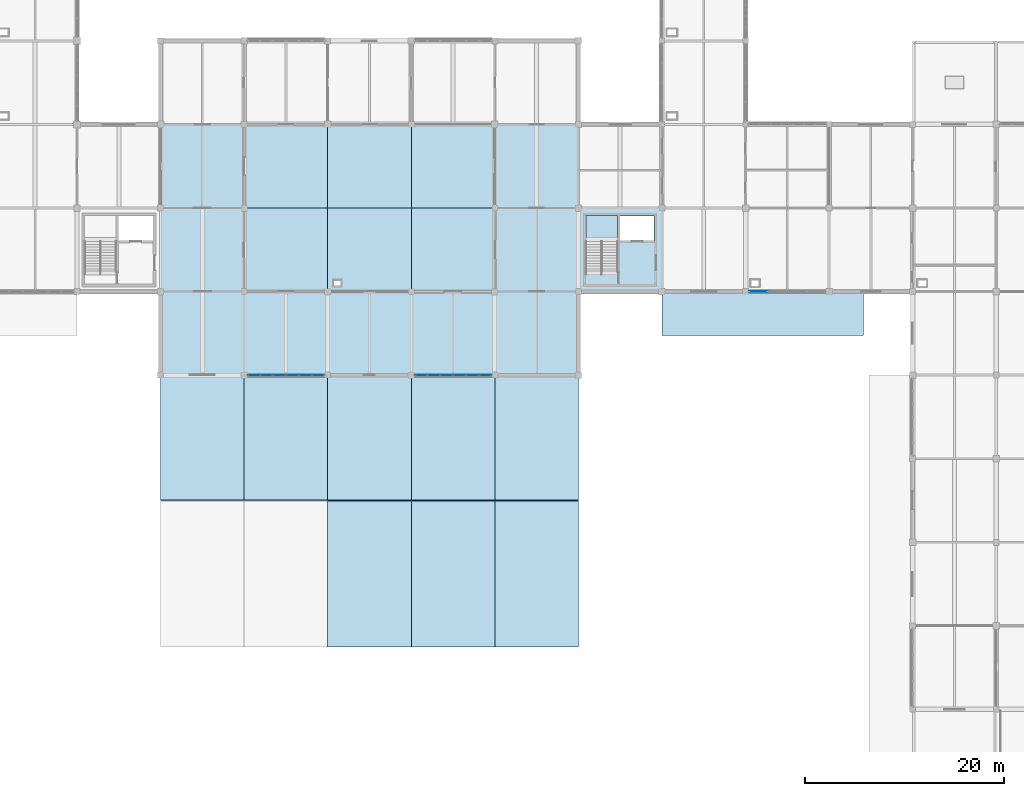
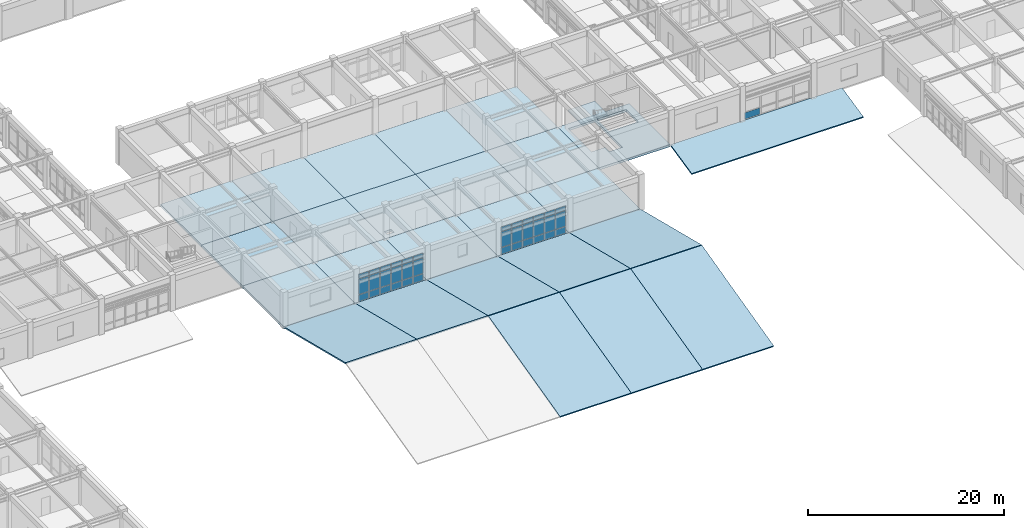
# One storey, part 44 of 78: 37 plates, 26 slabs, 4 elements without a shape of their own.
"""IFC4 building model written with IfcOpenShell, lengths in metres."""

import ifcopenshell
import ifcopenshell.guid

model = None  # the IFC model being written
_history = None  # IfcOwnerHistory: only IFC2X3 demands one
_inside = {}  # id of a spatial element -> (the spatial element, [elements in it])
_under = {}  # id of a project, library or spatial element -> (it, [spatial elements below it])
_declared = {}  # id of a project -> (the project, [libraries it declares])
_typed = {}  # id of a type object -> (the type object, [elements of that type])
_made_of = {}  # id of a material, layer set ... -> (it, [elements and type objects made of it])


def new_model(schema):
    """Start an empty IFC model of exactly this schema.

    Asked for "IFC4X3", IfcOpenShell would pick the latest addendum, in which some entities
    have other attributes; the version numbers below select the first issue.
    IFC2X3 requires an IfcOwnerHistory on every rooted entity: one is made here for all.
    """
    global model, _history
    if schema == "IFC4X3":
        model = ifcopenshell.file(schema_version=(4, 3, 0, 0))
    else:
        model = ifcopenshell.file(schema=schema)
    _inside.clear()
    _under.clear()
    _declared.clear()
    _typed.clear()
    _made_of.clear()
    _history = None
    if model.schema == "IFC2X3":
        org = make("IfcOrganization", Name="unknown")
        user = make(
            "IfcPersonAndOrganization",
            ThePerson=make("IfcPerson", FamilyName="unknown"),
            TheOrganization=org,
        )
        app = make(
            "IfcApplication",
            ApplicationDeveloper=org,
            Version="unknown",
            ApplicationFullName="unknown",
            ApplicationIdentifier="unknown",
        )
        _history = make(
            "IfcOwnerHistory",
            OwningUser=user,
            OwningApplication=app,
            ChangeAction="ADDED",
            CreationDate=0,
        )
    return model


def make(cls, **values):
    """One entity of the class cls with the attributes given. An attribute that is None is left unset."""
    return model.create_entity(
        cls, **{name: value for name, value in values.items() if value is not None}
    )


def rooted(cls, **values):
    """An entity with a GlobalId (a new one), such as an element, a storey or a relation."""
    return make(cls, GlobalId=ifcopenshell.guid.new(), OwnerHistory=_history, **values)


def si_unit(unit_type, name, prefix=None):
    """IfcSIUnit, for example si_unit("LENGTHUNIT", "METRE", prefix="MILLI")."""
    return make("IfcSIUnit", UnitType=unit_type, Prefix=prefix, Name=name)


def assignment(units):
    """IfcUnitAssignment: the units of a project."""
    return None if units is None else make("IfcUnitAssignment", Units=units)


def point(xyz):
    """IfcCartesianPoint."""
    return None if xyz is None else make("IfcCartesianPoint", Coordinates=xyz)


def direction(xyz):
    """IfcDirection."""
    return None if xyz is None else make("IfcDirection", DirectionRatios=xyz)


def frame(location, z_axis=None, x_axis=None):
    """IfcAxis2Placement3D, a coordinate frame: its origin and axes. An axis left out is left unset."""
    return make(
        "IfcAxis2Placement3D",
        Location=point(location),
        Axis=direction(z_axis),
        RefDirection=direction(x_axis),
    )


def frame_2d(location, x_axis=None):
    """IfcAxis2Placement2D, a coordinate frame in the plane: its origin and x axis."""
    return make(
        "IfcAxis2Placement2D", Location=point(location), RefDirection=direction(x_axis)
    )


def origin():
    """The frame at (0, 0, 0) with its axes left unset."""
    return frame((0.0, 0.0, 0.0))


def origin_2d():
    """The frame at (0, 0) in the plane with its x axis left unset."""
    return frame_2d((0.0, 0.0))


def place(relative_to, where):
    """IfcLocalPlacement: puts the frame where relative to a parent placement (None: the world)."""
    return make(
        "IfcLocalPlacement", PlacementRelTo=relative_to, RelativePlacement=where
    )


def context(
    kind, dimensions, precision=None, world=None, true_north=None, identifier=None
):
    """IfcGeometricRepresentationContext, for example the 3D "Model" context."""
    return make(
        "IfcGeometricRepresentationContext",
        ContextIdentifier=identifier,
        ContextType=kind,
        CoordinateSpaceDimension=dimensions,
        Precision=precision,
        WorldCoordinateSystem=world,
        TrueNorth=true_north,
    )


def subcontext(parent, identifier, kind, view, scale=None):
    """IfcGeometricRepresentationSubContext, for example "Body" below "Model"."""
    return make(
        "IfcGeometricRepresentationSubContext",
        ContextIdentifier=identifier,
        ContextType=kind,
        ParentContext=parent,
        TargetScale=scale,
        TargetView=view,
    )


def project(units=None, contexts=None):
    """IfcProject with its units and contexts."""
    return rooted(
        "IfcProject",
        Name="project",
        RepresentationContexts=contexts,
        UnitsInContext=assignment(units),
    )


def spatial(cls, under=None, at=None, **own):
    """A site, building, storey or space (cls), placed at a placement, below another one or the project."""
    s = rooted(cls, ObjectPlacement=at, **own)
    if under is not None:
        _under.setdefault(under.id(), (under, []))[1].append(s)
    return s


def polyline(points):
    """IfcPolyline through the points."""
    return make("IfcPolyline", Points=[point(p) for p in points])


def profile(cls, at=None, kind="AREA", **sizes):
    """A parametric profile (cls). Its sizes go by their IFC names, for example OverallWidth=200.0."""
    return make(cls, ProfileType=kind, Position=at, **sizes)


def rectangle(**sizes):
    """IfcRectangleProfileDef."""
    return profile("IfcRectangleProfileDef", **sizes)


def outline(outer, holes=None, kind="AREA"):
    """IfcArbitraryClosedProfileDef: a profile drawn as a closed curve; with holes, ...WithVoids."""
    if holes is None:
        return make("IfcArbitraryClosedProfileDef", ProfileType=kind, OuterCurve=outer)
    return make(
        "IfcArbitraryProfileDefWithVoids",
        ProfileType=kind,
        OuterCurve=outer,
        InnerCurves=holes,
    )


def extrude(swept, where, along, depth):
    """IfcExtrudedAreaSolid: the profile swept, set in the frame where, extruded along a direction by depth."""
    return make(
        "IfcExtrudedAreaSolid",
        SweptArea=swept,
        Position=where,
        ExtrudedDirection=direction(along),
        Depth=depth,
    )


def shape(context_of_items, identifier, shape_type, items):
    """IfcShapeRepresentation: the items that make up one representation, for example the "Body"."""
    return make(
        "IfcShapeRepresentation",
        ContextOfItems=context_of_items,
        RepresentationIdentifier=identifier,
        RepresentationType=shape_type,
        Items=items,
    )


def material(Name=None, Category=None):
    """IfcMaterial."""
    return make("IfcMaterial", Name=Name, Category=Category)


def layer(
    of_material, thickness, ventilated=None, Name=None, Category=None, Priority=None
):
    """IfcMaterialLayer: one layer of a wall or slab, of a material (None: an air gap)."""
    return make(
        "IfcMaterialLayer",
        Material=of_material,
        LayerThickness=thickness,
        IsVentilated=ventilated,
        Name=Name,
        Category=Category,
        Priority=Priority,
    )


def layer_set(layers, Name=None):
    """IfcMaterialLayerSet."""
    return make("IfcMaterialLayerSet", MaterialLayers=layers, LayerSetName=Name)


def made_of(thing, what):
    """Note that an element or type object is made of a material, layer set ...; save() writes the relation."""
    if what is not None:
        _made_of.setdefault(what.id(), (what, []))[1].append(thing)
    return thing


def type_object(cls, material=None, **own):
    """A type object (cls), such as IfcWallType, which elements share."""
    return made_of(rooted(cls, **own), material)


def element(
    cls,
    number,
    at=None,
    inside=None,
    cuts=None,
    type_object=None,
    material=None,
    context=None,
    identifier="Body",
    shape_type=None,
    held_by="IfcProductDefinitionShape",
    body=None,
    shapes=None,
    **own,
):
    """One element of the class cls, such as IfcWall. Its Tag is "e" and its number.

    at: its placement. inside: the storey or other place that contains it. cuts: it is an
    opening in that element (IfcRelVoidsElement). A single representation is given by context,
    identifier, shape_type and body (its items); several are given by shapes. held_by: the class
    of the entity that holds the representations. save() writes the other relations.
    """
    e = rooted(cls, Tag="e%d" % number, ObjectPlacement=at, **own)
    if body is not None:
        shapes = [shape(context, identifier, shape_type, body)]
    if shapes is not None:
        e.Representation = make(held_by, Representations=shapes)
    if inside is not None:
        _inside.setdefault(inside.id(), (inside, []))[1].append(e)
    if cuts is not None:
        rooted(
            "IfcRelVoidsElement", RelatingBuildingElement=cuts, RelatedOpeningElement=e
        )
    if type_object is not None:
        _typed.setdefault(type_object.id(), (type_object, []))[1].append(e)
    return made_of(e, material)


def aggregate(whole, parts):
    """IfcRelAggregates: a whole, such as a stair, and the parts it consists of."""
    return rooted("IfcRelAggregates", RelatingObject=whole, RelatedObjects=parts)


def save(model, path):
    """Write the relations noted so far, then the file.

    IfcRelAggregates (storeys below a building ...), IfcRelContainedInSpatialStructure (elements
    in a storey), IfcRelDefinesByType, IfcRelAssociatesMaterial and IfcRelDeclares: one each for
    every whole, place, type object, material and project.
    """
    for whole, parts in _under.values():
        aggregate(whole, parts)
    for where, things in _inside.values():
        rooted(
            "IfcRelContainedInSpatialStructure",
            RelatedElements=things,
            RelatingStructure=where,
        )
    for kind, things in _typed.values():
        rooted("IfcRelDefinesByType", RelatedObjects=things, RelatingType=kind)
    for what, things in _made_of.values():
        rooted("IfcRelAssociatesMaterial", RelatedObjects=things, RelatingMaterial=what)
    for by, libraries in _declared.values():
        rooted("IfcRelDeclares", RelatingContext=by, RelatedDefinitions=libraries)
    model.write(path)


model = new_model("IFC4")

# Units and contexts
model_context = context("Model", 3, precision=1e-05, world=origin(), true_north=direction((0.0, 1.0)))
body_context = subcontext(model_context, "Body", "Model", "MODEL_VIEW")
ifc_project = project(units=[si_unit("LENGTHUNIT", "METRE"), si_unit("AREAUNIT", "SQUARE_METRE"), si_unit("VOLUMEUNIT", "CUBIC_METRE"), si_unit("PLANEANGLEUNIT", "RADIAN"), si_unit("MASSUNIT", "GRAM", prefix="KILO")], contexts=[model_context])

# Site, building, storey
site_placement = place(None, origin())
site = spatial("IfcSite", under=ifc_project, at=site_placement, CompositionType="ELEMENT")
building_placement = place(site_placement, origin())
building = spatial("IfcBuilding", under=site, at=building_placement, Name="Porcellanite Civic Hall", CompositionType="ELEMENT")
storey_placement = place(building_placement, frame((0.0, 0.0, 10.260009765625)))
storey = spatial("IfcBuildingStorey", under=building, at=storey_placement, Name="L02", CompositionType="ELEMENT", Elevation=10.260009765625)

# Curtain wall, plates
ifc_material_1 = material(Name="Anodised aluminium and solar laminated glass", Category="aluminium")
ifc_layer_1 = layer(ifc_material_1, 0.179931640625)
ifc_layer_set_1 = layer_set([ifc_layer_1], Name="Anodised aluminium and solar laminated glass")
curtain_wall_type_1 = type_object("IfcCurtainWallType", Name="CW-SYS01", PredefinedType="NOTDEFINED", material=ifc_layer_set_1)
curtain_wall_1_placement = place(storey_placement, origin())
curtain_wall_1 = element("IfcCurtainWall", 1, at=curtain_wall_1_placement, inside=storey, type_object=curtain_wall_type_1, Name="Curtain wall CW-153", PredefinedType="NOTDEFINED")
ifc_material_2 = material(Name="Cyclone laminated solar-control low-E glass", Category="glass")
ifc_layer_2 = layer(ifc_material_2, 0.02392578125)
ifc_layer_set_2 = layer_set([ifc_layer_2], Name="Cyclone laminated solar-control low-E glass")
plate_type = type_object("IfcPlateType", Name="CWP-01", PredefinedType="CURTAIN_PANEL", material=ifc_layer_set_2)
plate_1_placement = place(storey_placement, frame((83.03125, 42.0, 0.070068359375), z_axis=(0.0, 0.0, 1.0), x_axis=(-1.0, 0.0, 0.0)))
plate_1 = element("IfcPlate", 2, at=plate_1_placement, type_object=plate_type, Name="CW-153 panel 1.1", PredefinedType="CURTAIN_PANEL", context=body_context, shape_type="SweptSolid", body=[
    extrude(rectangle(XDim=1.175537109375, YDim=0.02392578125, at=origin_2d()), origin(), (0.0, 0.0, 1.0), 0.794921875),
])
plate_2_placement = place(storey_placement, frame((83.03125, 42.0, 0.93505859375), z_axis=(0.0, 0.0, 1.0), x_axis=(-1.0, 0.0, 0.0)))
plate_2 = element("IfcPlate", 3, at=plate_2_placement, type_object=plate_type, Name="CW-153 panel 1.2", PredefinedType="CURTAIN_PANEL", context=body_context, shape_type="SweptSolid", body=[
    extrude(rectangle(XDim=1.175537109375, YDim=0.02392578125, at=origin_2d()), origin(), (0.0, 0.0, 1.0), 1.919921875),
])
plate_3_placement = place(storey_placement, frame((83.03125, 42.0, 2.925048828125), z_axis=(0.0, 0.0, 1.0), x_axis=(-1.0, 0.0, 0.0)))
plate_3 = element("IfcPlate", 4, at=plate_3_placement, type_object=plate_type, Name="CW-153 panel 1.3", PredefinedType="CURTAIN_PANEL", context=body_context, shape_type="SweptSolid", body=[
    extrude(rectangle(XDim=1.175537109375, YDim=0.02392578125, at=origin_2d()), origin(), (0.0, 0.0, 1.0), 0.544921875),
])
plate_4_placement = place(storey_placement, frame((81.755859375, 42.0, 0.070068359375), z_axis=(0.0, 0.0, 1.0), x_axis=(-1.0, 0.0, 0.0)))
plate_4 = element("IfcPlate", 5, at=plate_4_placement, type_object=plate_type, Name="CW-153 panel 2.1", PredefinedType="CURTAIN_PANEL", context=body_context, shape_type="SweptSolid", body=[
    extrude(rectangle(XDim=1.215576171875, YDim=0.02392578125, at=origin_2d()), origin(), (0.0, 0.0, 1.0), 0.794921875),
])
plate_5_placement = place(storey_placement, frame((81.755859375, 42.0, 0.93505859375), z_axis=(0.0, 0.0, 1.0), x_axis=(-1.0, 0.0, 0.0)))
plate_5 = element("IfcPlate", 6, at=plate_5_placement, type_object=plate_type, Name="CW-153 panel 2.2", PredefinedType="CURTAIN_PANEL", context=body_context, shape_type="SweptSolid", body=[
    extrude(rectangle(XDim=1.215576171875, YDim=0.02392578125, at=origin_2d()), origin(), (0.0, 0.0, 1.0), 1.919921875),
])
plate_6_placement = place(storey_placement, frame((81.755859375, 42.0, 2.925048828125), z_axis=(0.0, 0.0, 1.0), x_axis=(-1.0, 0.0, 0.0)))
plate_6 = element("IfcPlate", 7, at=plate_6_placement, type_object=plate_type, Name="CW-153 panel 2.3", PredefinedType="CURTAIN_PANEL", context=body_context, shape_type="SweptSolid", body=[
    extrude(rectangle(XDim=1.215576171875, YDim=0.02392578125, at=origin_2d()), origin(), (0.0, 0.0, 1.0), 0.544921875),
])
plate_7_placement = place(storey_placement, frame((80.460205078125, 42.0, 0.070068359375), z_axis=(0.0, 0.0, 1.0), x_axis=(-1.0, 0.0, 0.0)))
plate_7 = element("IfcPlate", 8, at=plate_7_placement, type_object=plate_type, Name="CW-153 panel 3.1", PredefinedType="CURTAIN_PANEL", context=body_context, shape_type="SweptSolid", body=[
    extrude(rectangle(XDim=1.215576171875, YDim=0.02392578125, at=origin_2d()), origin(), (0.0, 0.0, 1.0), 0.794921875),
])
plate_8_placement = place(storey_placement, frame((80.460205078125, 42.0, 0.93505859375), z_axis=(0.0, 0.0, 1.0), x_axis=(-1.0, 0.0, 0.0)))
plate_8 = element("IfcPlate", 9, at=plate_8_placement, type_object=plate_type, Name="CW-153 panel 3.2", PredefinedType="CURTAIN_PANEL", context=body_context, shape_type="SweptSolid", body=[
    extrude(rectangle(XDim=1.215576171875, YDim=0.02392578125, at=origin_2d()), origin(), (0.0, 0.0, 1.0), 1.919921875),
])
plate_9_placement = place(storey_placement, frame((80.460205078125, 42.0, 2.925048828125), z_axis=(0.0, 0.0, 1.0), x_axis=(-1.0, 0.0, 0.0)))
plate_9 = element("IfcPlate", 10, at=plate_9_placement, type_object=plate_type, Name="CW-153 panel 3.3", PredefinedType="CURTAIN_PANEL", context=body_context, shape_type="SweptSolid", body=[
    extrude(rectangle(XDim=1.215576171875, YDim=0.02392578125, at=origin_2d()), origin(), (0.0, 0.0, 1.0), 0.544921875),
])
plate_10_placement = place(storey_placement, frame((79.164794921875, 42.0, 0.070068359375), z_axis=(0.0, 0.0, 1.0), x_axis=(-1.0, 0.0, 0.0)))
plate_10 = element("IfcPlate", 11, at=plate_10_placement, type_object=plate_type, Name="CW-153 panel 4.1", PredefinedType="CURTAIN_PANEL", context=body_context, shape_type="SweptSolid", body=[
    extrude(rectangle(XDim=1.215576171875, YDim=0.02392578125, at=origin_2d()), origin(), (0.0, 0.0, 1.0), 0.794921875),
])
plate_11_placement = place(storey_placement, frame((79.164794921875, 42.0, 0.93505859375), z_axis=(0.0, 0.0, 1.0), x_axis=(-1.0, 0.0, 0.0)))
plate_11 = element("IfcPlate", 12, at=plate_11_placement, type_object=plate_type, Name="CW-153 panel 4.2", PredefinedType="CURTAIN_PANEL", context=body_context, shape_type="SweptSolid", body=[
    extrude(rectangle(XDim=1.215576171875, YDim=0.02392578125, at=origin_2d()), origin(), (0.0, 0.0, 1.0), 1.919921875),
])
plate_12_placement = place(storey_placement, frame((79.164794921875, 42.0, 2.925048828125), z_axis=(0.0, 0.0, 1.0), x_axis=(-1.0, 0.0, 0.0)))
plate_12 = element("IfcPlate", 13, at=plate_12_placement, type_object=plate_type, Name="CW-153 panel 4.3", PredefinedType="CURTAIN_PANEL", context=body_context, shape_type="SweptSolid", body=[
    extrude(rectangle(XDim=1.215576171875, YDim=0.02392578125, at=origin_2d()), origin(), (0.0, 0.0, 1.0), 0.544921875),
])
plate_13_placement = place(storey_placement, frame((77.869140625, 42.0, 0.070068359375), z_axis=(0.0, 0.0, 1.0), x_axis=(-1.0, 0.0, 0.0)))
plate_13 = element("IfcPlate", 14, at=plate_13_placement, type_object=plate_type, Name="CW-153 panel 5.1", PredefinedType="CURTAIN_PANEL", context=body_context, shape_type="SweptSolid", body=[
    extrude(rectangle(XDim=1.215576171875, YDim=0.02392578125, at=origin_2d()), origin(), (0.0, 0.0, 1.0), 0.794921875),
])
plate_14_placement = place(storey_placement, frame((77.869140625, 42.0, 0.93505859375), z_axis=(0.0, 0.0, 1.0), x_axis=(-1.0, 0.0, 0.0)))
plate_14 = element("IfcPlate", 15, at=plate_14_placement, type_object=plate_type, Name="CW-153 panel 5.2", PredefinedType="CURTAIN_PANEL", context=body_context, shape_type="SweptSolid", body=[
    extrude(rectangle(XDim=1.215576171875, YDim=0.02392578125, at=origin_2d()), origin(), (0.0, 0.0, 1.0), 1.919921875),
])
plate_15_placement = place(storey_placement, frame((77.869140625, 42.0, 2.925048828125), z_axis=(0.0, 0.0, 1.0), x_axis=(-1.0, 0.0, 0.0)))
plate_15 = element("IfcPlate", 16, at=plate_15_placement, type_object=plate_type, Name="CW-153 panel 5.3", PredefinedType="CURTAIN_PANEL", context=body_context, shape_type="SweptSolid", body=[
    extrude(rectangle(XDim=1.215576171875, YDim=0.02392578125, at=origin_2d()), origin(), (0.0, 0.0, 1.0), 0.544921875),
])
plate_16_placement = place(storey_placement, frame((76.59375, 42.0, 0.070068359375), z_axis=(0.0, 0.0, 1.0), x_axis=(-1.0, 0.0, 0.0)))
plate_16 = element("IfcPlate", 17, at=plate_16_placement, type_object=plate_type, Name="CW-153 panel 6.1", PredefinedType="CURTAIN_PANEL", context=body_context, shape_type="SweptSolid", body=[
    extrude(rectangle(XDim=1.175537109375, YDim=0.02392578125, at=origin_2d()), origin(), (0.0, 0.0, 1.0), 0.794921875),
])
plate_17_placement = place(storey_placement, frame((76.59375, 42.0, 0.93505859375), z_axis=(0.0, 0.0, 1.0), x_axis=(-1.0, 0.0, 0.0)))
plate_17 = element("IfcPlate", 18, at=plate_17_placement, type_object=plate_type, Name="CW-153 panel 6.2", PredefinedType="CURTAIN_PANEL", context=body_context, shape_type="SweptSolid", body=[
    extrude(rectangle(XDim=1.175537109375, YDim=0.02392578125, at=origin_2d()), origin(), (0.0, 0.0, 1.0), 1.919921875),
])
plate_18_placement = place(storey_placement, frame((76.59375, 42.0, 2.925048828125), z_axis=(0.0, 0.0, 1.0), x_axis=(-1.0, 0.0, 0.0)))
plate_18 = element("IfcPlate", 19, at=plate_18_placement, type_object=plate_type, Name="CW-153 panel 6.3", PredefinedType="CURTAIN_PANEL", context=body_context, shape_type="SweptSolid", body=[
    extrude(rectangle(XDim=1.175537109375, YDim=0.02392578125, at=origin_2d()), origin(), (0.0, 0.0, 1.0), 0.544921875),
])
aggregate(curtain_wall_1, [plate_1, plate_2, plate_3, plate_4, plate_5, plate_6, plate_7, plate_8, plate_9, plate_10, plate_11, plate_12, plate_13, plate_14, plate_15, plate_16, plate_17, plate_18])

curtain_wall_2_placement = place(storey_placement, origin())
curtain_wall_2 = element("IfcCurtainWall", 20, at=curtain_wall_2_placement, inside=storey, type_object=curtain_wall_type_1, Name="Curtain wall CW-156", PredefinedType="NOTDEFINED")
plate_19_placement = place(storey_placement, frame((99.831298828125, 42.0, 0.070068359375), z_axis=(0.0, 0.0, 1.0), x_axis=(-1.0, 0.0, 0.0)))
plate_19 = element("IfcPlate", 21, at=plate_19_placement, type_object=plate_type, Name="CW-156 panel 1.1", PredefinedType="CURTAIN_PANEL", context=body_context, shape_type="SweptSolid", body=[
    extrude(rectangle(XDim=1.175537109375, YDim=0.02392578125, at=origin_2d()), origin(), (0.0, 0.0, 1.0), 0.794921875),
])
plate_20_placement = place(storey_placement, frame((99.831298828125, 42.0, 0.93505859375), z_axis=(0.0, 0.0, 1.0), x_axis=(-1.0, 0.0, 0.0)))
plate_20 = element("IfcPlate", 22, at=plate_20_placement, type_object=plate_type, Name="CW-156 panel 1.2", PredefinedType="CURTAIN_PANEL", context=body_context, shape_type="SweptSolid", body=[
    extrude(rectangle(XDim=1.175537109375, YDim=0.02392578125, at=origin_2d()), origin(), (0.0, 0.0, 1.0), 1.919921875),
])
plate_21_placement = place(storey_placement, frame((99.831298828125, 42.0, 2.925048828125), z_axis=(0.0, 0.0, 1.0), x_axis=(-1.0, 0.0, 0.0)))
plate_21 = element("IfcPlate", 23, at=plate_21_placement, type_object=plate_type, Name="CW-156 panel 1.3", PredefinedType="CURTAIN_PANEL", context=body_context, shape_type="SweptSolid", body=[
    extrude(rectangle(XDim=1.175537109375, YDim=0.02392578125, at=origin_2d()), origin(), (0.0, 0.0, 1.0), 0.544921875),
])
plate_22_placement = place(storey_placement, frame((98.5556640625, 42.0, 0.070068359375), z_axis=(0.0, 0.0, 1.0), x_axis=(-1.0, 0.0, 0.0)))
plate_22 = element("IfcPlate", 24, at=plate_22_placement, type_object=plate_type, Name="CW-156 panel 2.1", PredefinedType="CURTAIN_PANEL", context=body_context, shape_type="SweptSolid", body=[
    extrude(rectangle(XDim=1.215576171875, YDim=0.02392578125, at=origin_2d()), origin(), (0.0, 0.0, 1.0), 0.794921875),
])
plate_23_placement = place(storey_placement, frame((98.5556640625, 42.0, 0.93505859375), z_axis=(0.0, 0.0, 1.0), x_axis=(-1.0, 0.0, 0.0)))
plate_23 = element("IfcPlate", 25, at=plate_23_placement, type_object=plate_type, Name="CW-156 panel 2.2", PredefinedType="CURTAIN_PANEL", context=body_context, shape_type="SweptSolid", body=[
    extrude(rectangle(XDim=1.215576171875, YDim=0.02392578125, at=origin_2d()), origin(), (0.0, 0.0, 1.0), 1.919921875),
])
plate_24_placement = place(storey_placement, frame((98.5556640625, 42.0, 2.925048828125), z_axis=(0.0, 0.0, 1.0), x_axis=(-1.0, 0.0, 0.0)))
plate_24 = element("IfcPlate", 26, at=plate_24_placement, type_object=plate_type, Name="CW-156 panel 2.3", PredefinedType="CURTAIN_PANEL", context=body_context, shape_type="SweptSolid", body=[
    extrude(rectangle(XDim=1.215576171875, YDim=0.02392578125, at=origin_2d()), origin(), (0.0, 0.0, 1.0), 0.544921875),
])
plate_25_placement = place(storey_placement, frame((97.26025390625, 42.0, 0.070068359375), z_axis=(0.0, 0.0, 1.0), x_axis=(-1.0, 0.0, 0.0)))
plate_25 = element("IfcPlate", 27, at=plate_25_placement, type_object=plate_type, Name="CW-156 panel 3.1", PredefinedType="CURTAIN_PANEL", context=body_context, shape_type="SweptSolid", body=[
    extrude(rectangle(XDim=1.215576171875, YDim=0.02392578125, at=origin_2d()), origin(), (0.0, 0.0, 1.0), 0.794921875),
])
plate_26_placement = place(storey_placement, frame((97.26025390625, 42.0, 0.93505859375), z_axis=(0.0, 0.0, 1.0), x_axis=(-1.0, 0.0, 0.0)))
plate_26 = element("IfcPlate", 28, at=plate_26_placement, type_object=plate_type, Name="CW-156 panel 3.2", PredefinedType="CURTAIN_PANEL", context=body_context, shape_type="SweptSolid", body=[
    extrude(rectangle(XDim=1.215576171875, YDim=0.02392578125, at=origin_2d()), origin(), (0.0, 0.0, 1.0), 1.919921875),
])
plate_27_placement = place(storey_placement, frame((97.26025390625, 42.0, 2.925048828125), z_axis=(0.0, 0.0, 1.0), x_axis=(-1.0, 0.0, 0.0)))
plate_27 = element("IfcPlate", 29, at=plate_27_placement, type_object=plate_type, Name="CW-156 panel 3.3", PredefinedType="CURTAIN_PANEL", context=body_context, shape_type="SweptSolid", body=[
    extrude(rectangle(XDim=1.215576171875, YDim=0.02392578125, at=origin_2d()), origin(), (0.0, 0.0, 1.0), 0.544921875),
])
plate_28_placement = place(storey_placement, frame((95.96484375, 42.0, 0.070068359375), z_axis=(0.0, 0.0, 1.0), x_axis=(-1.0, 0.0, 0.0)))
plate_28 = element("IfcPlate", 30, at=plate_28_placement, type_object=plate_type, Name="CW-156 panel 4.1", PredefinedType="CURTAIN_PANEL", context=body_context, shape_type="SweptSolid", body=[
    extrude(rectangle(XDim=1.215576171875, YDim=0.02392578125, at=origin_2d()), origin(), (0.0, 0.0, 1.0), 0.794921875),
])
plate_29_placement = place(storey_placement, frame((95.96484375, 42.0, 0.93505859375), z_axis=(0.0, 0.0, 1.0), x_axis=(-1.0, 0.0, 0.0)))
plate_29 = element("IfcPlate", 31, at=plate_29_placement, type_object=plate_type, Name="CW-156 panel 4.2", PredefinedType="CURTAIN_PANEL", context=body_context, shape_type="SweptSolid", body=[
    extrude(rectangle(XDim=1.215576171875, YDim=0.02392578125, at=origin_2d()), origin(), (0.0, 0.0, 1.0), 1.919921875),
])
plate_30_placement = place(storey_placement, frame((95.96484375, 42.0, 2.925048828125), z_axis=(0.0, 0.0, 1.0), x_axis=(-1.0, 0.0, 0.0)))
plate_30 = element("IfcPlate", 32, at=plate_30_placement, type_object=plate_type, Name="CW-156 panel 4.3", PredefinedType="CURTAIN_PANEL", context=body_context, shape_type="SweptSolid", body=[
    extrude(rectangle(XDim=1.215576171875, YDim=0.02392578125, at=origin_2d()), origin(), (0.0, 0.0, 1.0), 0.544921875),
])
plate_31_placement = place(storey_placement, frame((94.669189453125, 42.0, 0.070068359375), z_axis=(0.0, 0.0, 1.0), x_axis=(-1.0, 0.0, 0.0)))
plate_31 = element("IfcPlate", 33, at=plate_31_placement, type_object=plate_type, Name="CW-156 panel 5.1", PredefinedType="CURTAIN_PANEL", context=body_context, shape_type="SweptSolid", body=[
    extrude(rectangle(XDim=1.215576171875, YDim=0.02392578125, at=origin_2d()), origin(), (0.0, 0.0, 1.0), 0.794921875),
])
plate_32_placement = place(storey_placement, frame((94.669189453125, 42.0, 0.93505859375), z_axis=(0.0, 0.0, 1.0), x_axis=(-1.0, 0.0, 0.0)))
plate_32 = element("IfcPlate", 34, at=plate_32_placement, type_object=plate_type, Name="CW-156 panel 5.2", PredefinedType="CURTAIN_PANEL", context=body_context, shape_type="SweptSolid", body=[
    extrude(rectangle(XDim=1.215576171875, YDim=0.02392578125, at=origin_2d()), origin(), (0.0, 0.0, 1.0), 1.919921875),
])
plate_33_placement = place(storey_placement, frame((94.669189453125, 42.0, 2.925048828125), z_axis=(0.0, 0.0, 1.0), x_axis=(-1.0, 0.0, 0.0)))
plate_33 = element("IfcPlate", 35, at=plate_33_placement, type_object=plate_type, Name="CW-156 panel 5.3", PredefinedType="CURTAIN_PANEL", context=body_context, shape_type="SweptSolid", body=[
    extrude(rectangle(XDim=1.215576171875, YDim=0.02392578125, at=origin_2d()), origin(), (0.0, 0.0, 1.0), 0.544921875),
])
plate_34_placement = place(storey_placement, frame((93.393798828125, 42.0, 0.070068359375), z_axis=(0.0, 0.0, 1.0), x_axis=(-1.0, 0.0, 0.0)))
plate_34 = element("IfcPlate", 36, at=plate_34_placement, type_object=plate_type, Name="CW-156 panel 6.1", PredefinedType="CURTAIN_PANEL", context=body_context, shape_type="SweptSolid", body=[
    extrude(rectangle(XDim=1.175537109375, YDim=0.02392578125, at=origin_2d()), origin(), (0.0, 0.0, 1.0), 0.794921875),
])
plate_35_placement = place(storey_placement, frame((93.393798828125, 42.0, 0.93505859375), z_axis=(0.0, 0.0, 1.0), x_axis=(-1.0, 0.0, 0.0)))
plate_35 = element("IfcPlate", 37, at=plate_35_placement, type_object=plate_type, Name="CW-156 panel 6.2", PredefinedType="CURTAIN_PANEL", context=body_context, shape_type="SweptSolid", body=[
    extrude(rectangle(XDim=1.175537109375, YDim=0.02392578125, at=origin_2d()), origin(), (0.0, 0.0, 1.0), 1.919921875),
])
plate_36_placement = place(storey_placement, frame((93.393798828125, 42.0, 2.925048828125), z_axis=(0.0, 0.0, 1.0), x_axis=(-1.0, 0.0, 0.0)))
plate_36 = element("IfcPlate", 38, at=plate_36_placement, type_object=plate_type, Name="CW-156 panel 6.3", PredefinedType="CURTAIN_PANEL", context=body_context, shape_type="SweptSolid", body=[
    extrude(rectangle(XDim=1.175537109375, YDim=0.02392578125, at=origin_2d()), origin(), (0.0, 0.0, 1.0), 0.544921875),
])
aggregate(curtain_wall_2, [plate_19, plate_20, plate_21, plate_22, plate_23, plate_24, plate_25, plate_26, plate_27, plate_28, plate_29, plate_30, plate_31, plate_32, plate_33, plate_34, plate_35, plate_36])

# Curtain wall, plate
ifc_material_3 = material(Name="Anodised aluminium and solar laminated glass", Category="aluminium")
ifc_layer_3 = layer(ifc_material_3, 0.179931640625)
ifc_layer_set_3 = layer_set([ifc_layer_3], Name="Anodised aluminium and solar laminated glass")
curtain_wall_type_2 = type_object("IfcCurtainWallType", Name="CW-SYS06", PredefinedType="NOTDEFINED", material=ifc_layer_set_3)
curtain_wall_3_placement = place(storey_placement, origin())
curtain_wall_3 = element("IfcCurtainWall", 39, at=curtain_wall_3_placement, inside=storey, type_object=curtain_wall_type_2, Name="Curtain wall CW-170", PredefinedType="NOTDEFINED")
plate_37_placement = place(storey_placement, frame((127.288818359375, 50.39990234375, 0.0498046875), z_axis=(0.0, 0.0, 1.0), x_axis=(-1.0, 0.0, 0.0)))
plate_37 = element("IfcPlate", 40, at=plate_37_placement, type_object=plate_type, Name="CW-170 panel 4.1", PredefinedType="CURTAIN_PANEL", context=body_context, shape_type="SweptSolid", body=[
    extrude(rectangle(XDim=1.845703125, YDim=0.02392578125, at=origin_2d()), origin(), (0.0, 0.0, 1.0), 0.824951171875),
])
aggregate(curtain_wall_3, [plate_37])

# Stair, slab
ifc_material_4 = material(Name="Concrete N40 (40 MPa)", Category="concrete")
stair_type = type_object("IfcStairType", Name="STR-HT25", PredefinedType="HALF_TURN_STAIR", material=ifc_material_4)
stair_placement = place(storey_placement, origin())
stair = element("IfcStair", 41, at=stair_placement, inside=storey, type_object=stair_type, Name="Fire stair ST-06 L02", PredefinedType="HALF_TURN_STAIR")
ifc_material_5 = material(Name="Concrete N40 (40 MPa)", Category="concrete")
ifc_layer_4 = layer(ifc_material_5, 0.179931640625)
ifc_layer_set_4 = layer_set([ifc_layer_4], Name="Concrete N40 (40 MPa)")
slab_type_1 = type_object("IfcSlabType", Name="LND-18", PredefinedType="LANDING", material=ifc_layer_set_4)
slab_1_placement = place(storey_placement, frame((0.0, 0.0, 2.159912109375)))
slab_1 = element("IfcSlab", 42, at=slab_1_placement, type_object=slab_type_1, Name="ST-06 landing 1", PredefinedType="LANDING", context=body_context, shape_type="SweptSolid", body=[
    extrude(outline(polyline([(109.96044921875, 55.425048828125), (113.119384765625, 55.425048828125), (113.119384765625, 58.03955078125), (109.96044921875, 58.03955078125), (109.96044921875, 55.425048828125)])), origin(), (0.0, 0.0, 1.0), 0.18017578125),
])
aggregate(stair, [slab_1])

# Slabs
ifc_material_6 = material(Name="Concrete N40 (40 MPa)", Category="concrete")
ifc_layer_5 = layer(ifc_material_6, 0.280029296875)
ifc_layer_set_5 = layer_set([ifc_layer_5], Name="Concrete N40 (40 MPa)")
slab_type_2 = type_object("IfcSlabType", Name="SL-FL280", PredefinedType="FLOOR", material=ifc_layer_set_5)
slab_2_placement = place(storey_placement, frame((0.0, 0.0, -0.280029296875)))
element("IfcSlab", 43, at=slab_2_placement, inside=storey, type_object=slab_type_2, Name="Slab L02 bay 14-7", PredefinedType="FLOOR", context=body_context, shape_type="SweptSolid", body=[
    extrude(outline(polyline([(109.199951171875, 50.39990234375), (117.60009765625, 50.39990234375), (117.60009765625, 58.800048828125), (109.199951171875, 58.800048828125), (109.199951171875, 50.39990234375)]), holes=[polyline([(109.97998046875, 53.25), (111.56005859375, 53.25), (111.56005859375, 52.39990234375), (113.1201171875, 52.39990234375), (113.1201171875, 58.02001953125), (109.97998046875, 58.02001953125), (109.97998046875, 53.25)]), polyline([(113.360107421875, 55.5400390625), (116.820068359375, 55.5400390625), (116.820068359375, 58.02001953125), (113.360107421875, 58.02001953125), (113.360107421875, 55.5400390625)])]), origin(), (0.0, 0.0, 1.0), 0.280029296875),
])
ifc_material_7 = material(Name="Concrete N40 (40 MPa)", Category="concrete")
ifc_layer_6 = layer(ifc_material_7, 0.159912109375)
ifc_layer_set_6 = layer_set([ifc_layer_6], Name="Concrete N40 (40 MPa)")
slab_type_3 = type_object("IfcSlabType", Name="SL-MON160", PredefinedType="ROOF", material=ifc_layer_set_6)
slab_3_placement = place(storey_placement, frame((67.199951171875, 29.43505859375, 3.1328125), z_axis=(0.0, 0.241923404427, 0.970295350082), x_axis=(1.0, 0.0, 0.0)))
element("IfcSlab", 44, at=slab_3_placement, inside=storey, type_object=slab_type_3, Name="Public Hall monsoon roof north 8", PredefinedType="ROOF", context=body_context, shape_type="SweptSolid", body=[
    extrude(outline(polyline([(0.0, 0.0), (8.400146484375, 0.0), (8.400146484375, 12.949604885966675), (0.0, 12.949604885966675), (0.0, 0.0)])), origin(), (0.0, 0.0, -1.0), 0.159912109375),
])
slab_4_placement = place(storey_placement, frame((75.60009765625, 29.43505859375, 3.1328125), z_axis=(0.0, 0.241923404427, 0.970295350082), x_axis=(1.0, 0.0, 0.0)))
element("IfcSlab", 45, at=slab_4_placement, inside=storey, type_object=slab_type_3, Name="Public Hall monsoon roof north 9", PredefinedType="ROOF", context=body_context, shape_type="SweptSolid", body=[
    extrude(outline(polyline([(0.0, 0.0), (8.39990234375, 0.0), (8.39990234375, 12.949604885966675), (0.0, 12.949604885966675), (0.0, 0.0)])), origin(), (0.0, 0.0, -1.0), 0.159912109375),
])
slab_5_placement = place(storey_placement, frame((84.0, 14.699951171875, -0.523681640625), z_axis=(0.0, -0.241927454458, 0.97029434028), x_axis=(1.0, 0.0, 0.0)))
element("IfcSlab", 46, at=slab_5_placement, inside=storey, type_object=slab_type_3, Name="Public Hall monsoon roof south 10", PredefinedType="ROOF", context=body_context, shape_type="SweptSolid", body=[
    extrude(outline(polyline([(0.0, 0.0), (8.39990234375, 0.0), (8.39990234375, 15.114010722011411), (0.0, 15.114010722011411), (0.0, 0.0)])), origin(), (0.0, 0.0, -1.0), 0.159912109375),
])
slab_6_placement = place(storey_placement, frame((84.0, 29.43505859375, 3.1328125), z_axis=(0.0, 0.241923404427, 0.970295350082), x_axis=(1.0, 0.0, 0.0)))
element("IfcSlab", 47, at=slab_6_placement, inside=storey, type_object=slab_type_3, Name="Public Hall monsoon roof north 10", PredefinedType="ROOF", context=body_context, shape_type="SweptSolid", body=[
    extrude(outline(polyline([(0.0, 0.0), (8.39990234375, 0.0), (8.39990234375, 12.949604885966675), (0.0, 12.949604885966675), (0.0, 0.0)])), origin(), (0.0, 0.0, -1.0), 0.159912109375),
])
slab_7_placement = place(storey_placement, frame((92.39990234375, 14.699951171875, -0.523681640625), z_axis=(0.0, -0.241927454458, 0.97029434028), x_axis=(1.0, 0.0, 0.0)))
element("IfcSlab", 48, at=slab_7_placement, inside=storey, type_object=slab_type_3, Name="Public Hall monsoon roof south 11", PredefinedType="ROOF", context=body_context, shape_type="SweptSolid", body=[
    extrude(outline(polyline([(0.0, 0.0), (8.400146484375, 0.0), (8.400146484375, 15.11401072201141), (0.0, 15.11401072201141), (0.0, 0.0)])), origin(), (0.0, 0.0, -1.0), 0.159912109375),
])
slab_8_placement = place(storey_placement, frame((92.39990234375, 29.43505859375, 3.1328125), z_axis=(0.0, 0.241923404427, 0.970295350082), x_axis=(1.0, 0.0, 0.0)))
element("IfcSlab", 49, at=slab_8_placement, inside=storey, type_object=slab_type_3, Name="Public Hall monsoon roof north 11", PredefinedType="ROOF", context=body_context, shape_type="SweptSolid", body=[
    extrude(outline(polyline([(0.0, 0.0), (8.400146484375, 0.0), (8.400146484375, 12.949604885966675), (0.0, 12.949604885966675), (0.0, 0.0)])), origin(), (0.0, 0.0, -1.0), 0.159912109375),
])
slab_9_placement = place(storey_placement, frame((100.800048828125, 14.699951171875, -0.523681640625), z_axis=(0.0, -0.241927454458, 0.97029434028), x_axis=(1.0, 0.0, 0.0)))
element("IfcSlab", 50, at=slab_9_placement, inside=storey, type_object=slab_type_3, Name="Public Hall monsoon roof south 12", PredefinedType="ROOF", context=body_context, shape_type="SweptSolid", body=[
    extrude(outline(polyline([(0.0, 0.0), (8.39990234375, 0.0), (8.39990234375, 15.114010722011411), (0.0, 15.114010722011411), (0.0, 0.0)])), origin(), (0.0, 0.0, -1.0), 0.159912109375),
])
slab_10_placement = place(storey_placement, frame((100.800048828125, 29.43505859375, 3.1328125), z_axis=(0.0, 0.241923404427, 0.970295350082), x_axis=(1.0, 0.0, 0.0)))
element("IfcSlab", 51, at=slab_10_placement, inside=storey, type_object=slab_type_3, Name="Public Hall monsoon roof north 12", PredefinedType="ROOF", context=body_context, shape_type="SweptSolid", body=[
    extrude(outline(polyline([(0.0, 0.0), (8.39990234375, 0.0), (8.39990234375, 12.949604885966675), (0.0, 12.949604885966675), (0.0, 0.0)])), origin(), (0.0, 0.0, -1.0), 0.159912109375),
])
slab_11_placement = place(storey_placement, frame((117.60009765625, 46.0, -0.9755859375), z_axis=(0.0, -0.2182604073, 0.975890564872), x_axis=(1.0, 0.0, 0.0)))
element("IfcSlab", 52, at=slab_11_placement, inside=storey, type_object=slab_type_3, Name="Square colonnade monsoon roof COL-NE", PredefinedType="ROOF", context=body_context, shape_type="SweptSolid", body=[
    extrude(outline(polyline([(0.0, 0.0), (20.25, 0.0), (20.25, 4.469825515168482), (0.0, 4.469825515168482), (0.0, 0.0)])), origin(), (0.0, 0.0, -1.0), 0.159912109375),
])
ifc_material_8 = material(Name="Concrete N40 (40 MPa)", Category="concrete")
ifc_layer_7 = layer(ifc_material_8, 0.300048828125)
ifc_layer_set_7 = layer_set([ifc_layer_7], Name="Concrete N40 (40 MPa)")
slab_type_4 = type_object("IfcSlabType", Name="SL-TR300", PredefinedType="FLOOR", material=ifc_layer_set_7)
slab_12_placement = place(storey_placement, frame((0.0, 0.0, -0.300048828125)))
element("IfcSlab", 53, at=slab_12_placement, inside=storey, type_object=slab_type_4, Name="Slab L02 bay 9-6", PredefinedType="FLOOR", context=body_context, shape_type="SweptSolid", body=[
    extrude(outline(polyline([(67.199951171875, 42.0), (75.60009765625, 42.0), (75.60009765625, 50.39990234375), (67.199951171875, 50.39990234375), (67.199951171875, 42.0)])), origin(), (0.0, 0.0, 1.0), 0.300048828125),
])
slab_13_placement = place(storey_placement, frame((0.0, 0.0, -0.300048828125)))
element("IfcSlab", 54, at=slab_13_placement, inside=storey, type_object=slab_type_4, Name="Slab L02 bay 9-7", PredefinedType="FLOOR", context=body_context, shape_type="SweptSolid", body=[
    extrude(outline(polyline([(67.199951171875, 50.39990234375), (75.60009765625, 50.39990234375), (75.60009765625, 58.800048828125), (67.199951171875, 58.800048828125), (67.199951171875, 50.39990234375)])), origin(), (0.0, 0.0, 1.0), 0.300048828125),
])
slab_14_placement = place(storey_placement, frame((0.0, 0.0, -0.300048828125)))
element("IfcSlab", 55, at=slab_14_placement, inside=storey, type_object=slab_type_4, Name="Slab L02 bay 9-8", PredefinedType="FLOOR", context=body_context, shape_type="SweptSolid", body=[
    extrude(outline(polyline([(67.199951171875, 58.800048828125), (75.60009765625, 58.800048828125), (75.60009765625, 67.199951171875), (67.199951171875, 67.199951171875), (67.199951171875, 58.800048828125)])), origin(), (0.0, 0.0, 1.0), 0.300048828125),
])
slab_15_placement = place(storey_placement, frame((0.0, 0.0, -0.300048828125)))
element("IfcSlab", 56, at=slab_15_placement, inside=storey, type_object=slab_type_4, Name="Slab L02 bay 10-6", PredefinedType="FLOOR", context=body_context, shape_type="SweptSolid", body=[
    extrude(outline(polyline([(75.60009765625, 42.0), (84.0, 42.0), (84.0, 50.39990234375), (75.60009765625, 50.39990234375), (75.60009765625, 42.0)])), origin(), (0.0, 0.0, 1.0), 0.300048828125),
])
slab_16_placement = place(storey_placement, frame((0.0, 0.0, -0.300048828125)))
element("IfcSlab", 57, at=slab_16_placement, inside=storey, type_object=slab_type_4, Name="Slab L02 bay 10-7", PredefinedType="FLOOR", context=body_context, shape_type="SweptSolid", body=[
    extrude(outline(polyline([(75.60009765625, 50.39990234375), (84.0, 50.39990234375), (84.0, 58.800048828125), (75.60009765625, 58.800048828125), (75.60009765625, 50.39990234375)])), origin(), (0.0, 0.0, 1.0), 0.300048828125),
])
slab_17_placement = place(storey_placement, frame((0.0, 0.0, -0.300048828125)))
element("IfcSlab", 58, at=slab_17_placement, inside=storey, type_object=slab_type_4, Name="Slab L02 bay 10-8", PredefinedType="FLOOR", context=body_context, shape_type="SweptSolid", body=[
    extrude(outline(polyline([(75.60009765625, 58.800048828125), (84.0, 58.800048828125), (84.0, 67.199951171875), (75.60009765625, 67.199951171875), (75.60009765625, 58.800048828125)])), origin(), (0.0, 0.0, 1.0), 0.300048828125),
])
slab_18_placement = place(storey_placement, frame((0.0, 0.0, -0.300048828125)))
element("IfcSlab", 59, at=slab_18_placement, inside=storey, type_object=slab_type_4, Name="Slab L02 bay 11-6", PredefinedType="FLOOR", context=body_context, shape_type="SweptSolid", body=[
    extrude(outline(polyline([(84.0, 42.0), (92.39990234375, 42.0), (92.39990234375, 50.39990234375), (84.0, 50.39990234375), (84.0, 42.0)])), origin(), (0.0, 0.0, 1.0), 0.300048828125),
])
slab_19_placement = place(storey_placement, frame((0.0, 0.0, -0.300048828125)))
element("IfcSlab", 60, at=slab_19_placement, inside=storey, type_object=slab_type_4, Name="Slab L02 bay 11-7", PredefinedType="FLOOR", context=body_context, shape_type="SweptSolid", body=[
    extrude(outline(polyline([(84.0, 50.39990234375), (92.39990234375, 50.39990234375), (92.39990234375, 58.800048828125), (84.0, 58.800048828125), (84.0, 50.39990234375)]), holes=[polyline([(84.550048828125, 50.949951171875), (85.35009765625, 50.949951171875), (85.35009765625, 51.550048828125), (84.550048828125, 51.550048828125), (84.550048828125, 50.949951171875)])]), origin(), (0.0, 0.0, 1.0), 0.300048828125),
])
slab_20_placement = place(storey_placement, frame((0.0, 0.0, -0.300048828125)))
element("IfcSlab", 61, at=slab_20_placement, inside=storey, type_object=slab_type_4, Name="Slab L02 bay 11-8", PredefinedType="FLOOR", context=body_context, shape_type="SweptSolid", body=[
    extrude(outline(polyline([(84.0, 58.800048828125), (92.39990234375, 58.800048828125), (92.39990234375, 67.199951171875), (84.0, 67.199951171875), (84.0, 58.800048828125)])), origin(), (0.0, 0.0, 1.0), 0.300048828125),
])
slab_21_placement = place(storey_placement, frame((0.0, 0.0, -0.300048828125)))
element("IfcSlab", 62, at=slab_21_placement, inside=storey, type_object=slab_type_4, Name="Slab L02 bay 12-6", PredefinedType="FLOOR", context=body_context, shape_type="SweptSolid", body=[
    extrude(outline(polyline([(92.39990234375, 42.0), (100.800048828125, 42.0), (100.800048828125, 50.39990234375), (92.39990234375, 50.39990234375), (92.39990234375, 42.0)])), origin(), (0.0, 0.0, 1.0), 0.300048828125),
])
slab_22_placement = place(storey_placement, frame((0.0, 0.0, -0.300048828125)))
element("IfcSlab", 63, at=slab_22_placement, inside=storey, type_object=slab_type_4, Name="Slab L02 bay 12-7", PredefinedType="FLOOR", context=body_context, shape_type="SweptSolid", body=[
    extrude(outline(polyline([(92.39990234375, 50.39990234375), (100.800048828125, 50.39990234375), (100.800048828125, 58.800048828125), (92.39990234375, 58.800048828125), (92.39990234375, 50.39990234375)])), origin(), (0.0, 0.0, 1.0), 0.300048828125),
])
slab_23_placement = place(storey_placement, frame((0.0, 0.0, -0.300048828125)))
element("IfcSlab", 64, at=slab_23_placement, inside=storey, type_object=slab_type_4, Name="Slab L02 bay 12-8", PredefinedType="FLOOR", context=body_context, shape_type="SweptSolid", body=[
    extrude(outline(polyline([(92.39990234375, 58.800048828125), (100.800048828125, 58.800048828125), (100.800048828125, 67.199951171875), (92.39990234375, 67.199951171875), (92.39990234375, 58.800048828125)])), origin(), (0.0, 0.0, 1.0), 0.300048828125),
])
slab_24_placement = place(storey_placement, frame((0.0, 0.0, -0.300048828125)))
element("IfcSlab", 65, at=slab_24_placement, inside=storey, type_object=slab_type_4, Name="Slab L02 bay 13-6", PredefinedType="FLOOR", context=body_context, shape_type="SweptSolid", body=[
    extrude(outline(polyline([(100.800048828125, 42.0), (109.199951171875, 42.0), (109.199951171875, 50.39990234375), (100.800048828125, 50.39990234375), (100.800048828125, 42.0)])), origin(), (0.0, 0.0, 1.0), 0.300048828125),
])
slab_25_placement = place(storey_placement, frame((0.0, 0.0, -0.300048828125)))
element("IfcSlab", 66, at=slab_25_placement, inside=storey, type_object=slab_type_4, Name="Slab L02 bay 13-7", PredefinedType="FLOOR", context=body_context, shape_type="SweptSolid", body=[
    extrude(outline(polyline([(100.800048828125, 50.39990234375), (109.199951171875, 50.39990234375), (109.199951171875, 58.800048828125), (100.800048828125, 58.800048828125), (100.800048828125, 50.39990234375)])), origin(), (0.0, 0.0, 1.0), 0.300048828125),
])
slab_26_placement = place(storey_placement, frame((0.0, 0.0, -0.300048828125)))
element("IfcSlab", 67, at=slab_26_placement, inside=storey, type_object=slab_type_4, Name="Slab L02 bay 13-8", PredefinedType="FLOOR", context=body_context, shape_type="SweptSolid", body=[
    extrude(outline(polyline([(100.800048828125, 58.800048828125), (109.199951171875, 58.800048828125), (109.199951171875, 67.199951171875), (100.800048828125, 67.199951171875), (100.800048828125, 58.800048828125)])), origin(), (0.0, 0.0, 1.0), 0.300048828125),
])

save(model, "model.ifc")
